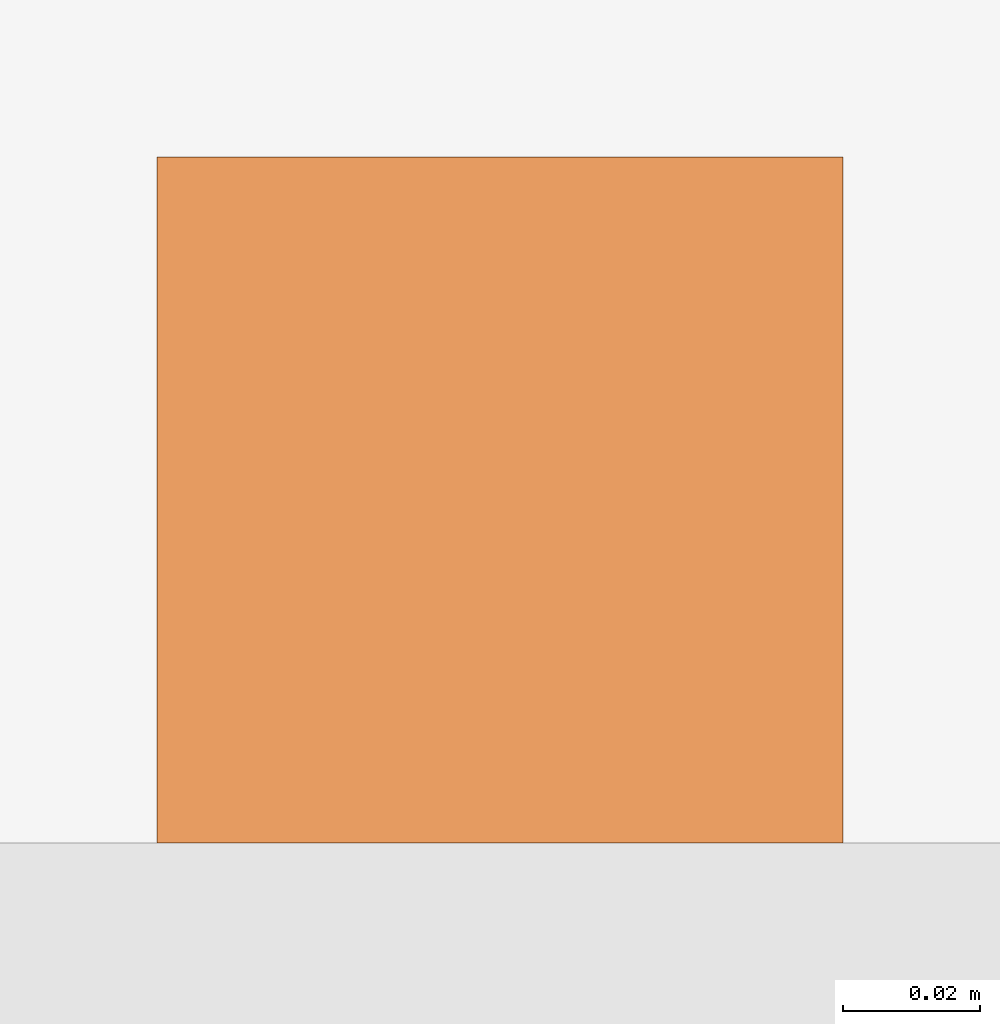
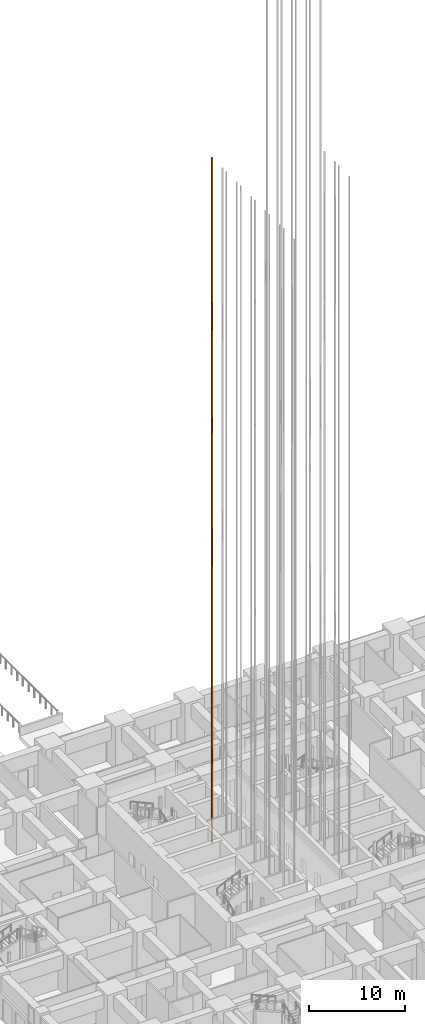
# One storey, part 78 of 81: 1 proxy.
"""IFC4 building model written with IfcOpenShell, lengths in metres."""

import ifcopenshell
import ifcopenshell.guid

model = None  # the IFC model being written
_history = None  # IfcOwnerHistory: only IFC2X3 demands one
_inside = {}  # id of a spatial element -> (the spatial element, [elements in it])
_under = {}  # id of a project, library or spatial element -> (it, [spatial elements below it])
_declared = {}  # id of a project -> (the project, [libraries it declares])
_typed = {}  # id of a type object -> (the type object, [elements of that type])
_made_of = {}  # id of a material, layer set ... -> (it, [elements and type objects made of it])


def new_model(schema):
    """Start an empty IFC model of exactly this schema.

    Asked for "IFC4X3", IfcOpenShell would pick the latest addendum, in which some entities
    have other attributes; the version numbers below select the first issue.
    IFC2X3 requires an IfcOwnerHistory on every rooted entity: one is made here for all.
    """
    global model, _history
    if schema == "IFC4X3":
        model = ifcopenshell.file(schema_version=(4, 3, 0, 0))
    else:
        model = ifcopenshell.file(schema=schema)
    _inside.clear()
    _under.clear()
    _declared.clear()
    _typed.clear()
    _made_of.clear()
    _history = None
    if model.schema == "IFC2X3":
        org = make("IfcOrganization", Name="unknown")
        user = make(
            "IfcPersonAndOrganization",
            ThePerson=make("IfcPerson", FamilyName="unknown"),
            TheOrganization=org,
        )
        app = make(
            "IfcApplication",
            ApplicationDeveloper=org,
            Version="unknown",
            ApplicationFullName="unknown",
            ApplicationIdentifier="unknown",
        )
        _history = make(
            "IfcOwnerHistory",
            OwningUser=user,
            OwningApplication=app,
            ChangeAction="ADDED",
            CreationDate=0,
        )
    return model


def make(cls, **values):
    """One entity of the class cls with the attributes given. An attribute that is None is left unset."""
    return model.create_entity(
        cls, **{name: value for name, value in values.items() if value is not None}
    )


def rooted(cls, **values):
    """An entity with a GlobalId (a new one), such as an element, a storey or a relation."""
    return make(cls, GlobalId=ifcopenshell.guid.new(), OwnerHistory=_history, **values)


def si_unit(unit_type, name, prefix=None):
    """IfcSIUnit, for example si_unit("LENGTHUNIT", "METRE", prefix="MILLI")."""
    return make("IfcSIUnit", UnitType=unit_type, Prefix=prefix, Name=name)


def assignment(units):
    """IfcUnitAssignment: the units of a project."""
    return None if units is None else make("IfcUnitAssignment", Units=units)


def point(xyz):
    """IfcCartesianPoint."""
    return None if xyz is None else make("IfcCartesianPoint", Coordinates=xyz)


def direction(xyz):
    """IfcDirection."""
    return None if xyz is None else make("IfcDirection", DirectionRatios=xyz)


def frame(location, z_axis=None, x_axis=None):
    """IfcAxis2Placement3D, a coordinate frame: its origin and axes. An axis left out is left unset."""
    return make(
        "IfcAxis2Placement3D",
        Location=point(location),
        Axis=direction(z_axis),
        RefDirection=direction(x_axis),
    )


def frame_2d(location, x_axis=None):
    """IfcAxis2Placement2D, a coordinate frame in the plane: its origin and x axis."""
    return make(
        "IfcAxis2Placement2D", Location=point(location), RefDirection=direction(x_axis)
    )


def origin():
    """The frame at (0, 0, 0) with its axes left unset."""
    return frame((0.0, 0.0, 0.0))


def origin_2d():
    """The frame at (0, 0) in the plane with its x axis left unset."""
    return frame_2d((0.0, 0.0))


def place(relative_to, where):
    """IfcLocalPlacement: puts the frame where relative to a parent placement (None: the world)."""
    return make(
        "IfcLocalPlacement", PlacementRelTo=relative_to, RelativePlacement=where
    )


def context(
    kind, dimensions, precision=None, world=None, true_north=None, identifier=None
):
    """IfcGeometricRepresentationContext, for example the 3D "Model" context."""
    return make(
        "IfcGeometricRepresentationContext",
        ContextIdentifier=identifier,
        ContextType=kind,
        CoordinateSpaceDimension=dimensions,
        Precision=precision,
        WorldCoordinateSystem=world,
        TrueNorth=true_north,
    )


def subcontext(parent, identifier, kind, view, scale=None):
    """IfcGeometricRepresentationSubContext, for example "Body" below "Model"."""
    return make(
        "IfcGeometricRepresentationSubContext",
        ContextIdentifier=identifier,
        ContextType=kind,
        ParentContext=parent,
        TargetScale=scale,
        TargetView=view,
    )


def project(units=None, contexts=None):
    """IfcProject with its units and contexts."""
    return rooted(
        "IfcProject",
        Name="project",
        RepresentationContexts=contexts,
        UnitsInContext=assignment(units),
    )


def spatial(cls, under=None, at=None, **own):
    """A site, building, storey or space (cls), placed at a placement, below another one or the project."""
    s = rooted(cls, ObjectPlacement=at, **own)
    if under is not None:
        _under.setdefault(under.id(), (under, []))[1].append(s)
    return s


def profile(cls, at=None, kind="AREA", **sizes):
    """A parametric profile (cls). Its sizes go by their IFC names, for example OverallWidth=200.0."""
    return make(cls, ProfileType=kind, Position=at, **sizes)


def rectangle(**sizes):
    """IfcRectangleProfileDef."""
    return profile("IfcRectangleProfileDef", **sizes)


def extrude(swept, where, along, depth):
    """IfcExtrudedAreaSolid: the profile swept, set in the frame where, extruded along a direction by depth."""
    return make(
        "IfcExtrudedAreaSolid",
        SweptArea=swept,
        Position=where,
        ExtrudedDirection=direction(along),
        Depth=depth,
    )


def shape(context_of_items, identifier, shape_type, items):
    """IfcShapeRepresentation: the items that make up one representation, for example the "Body"."""
    return make(
        "IfcShapeRepresentation",
        ContextOfItems=context_of_items,
        RepresentationIdentifier=identifier,
        RepresentationType=shape_type,
        Items=items,
    )


def material(Name=None, Category=None):
    """IfcMaterial."""
    return make("IfcMaterial", Name=Name, Category=Category)


def made_of(thing, what):
    """Note that an element or type object is made of a material, layer set ...; save() writes the relation."""
    if what is not None:
        _made_of.setdefault(what.id(), (what, []))[1].append(thing)
    return thing


def type_object(cls, material=None, **own):
    """A type object (cls), such as IfcWallType, which elements share."""
    return made_of(rooted(cls, **own), material)


def element(
    cls,
    number,
    at=None,
    inside=None,
    cuts=None,
    type_object=None,
    material=None,
    context=None,
    identifier="Body",
    shape_type=None,
    held_by="IfcProductDefinitionShape",
    body=None,
    shapes=None,
    **own,
):
    """One element of the class cls, such as IfcWall. Its Tag is "e" and its number.

    at: its placement. inside: the storey or other place that contains it. cuts: it is an
    opening in that element (IfcRelVoidsElement). A single representation is given by context,
    identifier, shape_type and body (its items); several are given by shapes. held_by: the class
    of the entity that holds the representations. save() writes the other relations.
    """
    e = rooted(cls, Tag="e%d" % number, ObjectPlacement=at, **own)
    if body is not None:
        shapes = [shape(context, identifier, shape_type, body)]
    if shapes is not None:
        e.Representation = make(held_by, Representations=shapes)
    if inside is not None:
        _inside.setdefault(inside.id(), (inside, []))[1].append(e)
    if cuts is not None:
        rooted(
            "IfcRelVoidsElement", RelatingBuildingElement=cuts, RelatedOpeningElement=e
        )
    if type_object is not None:
        _typed.setdefault(type_object.id(), (type_object, []))[1].append(e)
    return made_of(e, material)


def aggregate(whole, parts):
    """IfcRelAggregates: a whole, such as a stair, and the parts it consists of."""
    return rooted("IfcRelAggregates", RelatingObject=whole, RelatedObjects=parts)


def save(model, path):
    """Write the relations noted so far, then the file.

    IfcRelAggregates (storeys below a building ...), IfcRelContainedInSpatialStructure (elements
    in a storey), IfcRelDefinesByType, IfcRelAssociatesMaterial and IfcRelDeclares: one each for
    every whole, place, type object, material and project.
    """
    for whole, parts in _under.values():
        aggregate(whole, parts)
    for where, things in _inside.values():
        rooted(
            "IfcRelContainedInSpatialStructure",
            RelatedElements=things,
            RelatingStructure=where,
        )
    for kind, things in _typed.values():
        rooted("IfcRelDefinesByType", RelatedObjects=things, RelatingType=kind)
    for what, things in _made_of.values():
        rooted("IfcRelAssociatesMaterial", RelatedObjects=things, RelatingMaterial=what)
    for by, libraries in _declared.values():
        rooted("IfcRelDeclares", RelatingContext=by, RelatedDefinitions=libraries)
    model.write(path)


model = new_model("IFC4")

# Units and contexts
model_context = context("Model", 3, precision=1e-05, world=origin(), true_north=direction((0.0, 1.0)))
body_context = subcontext(model_context, "Body", "Model", "MODEL_VIEW")
ifc_project = project(units=[si_unit("LENGTHUNIT", "METRE"), si_unit("AREAUNIT", "SQUARE_METRE"), si_unit("VOLUMEUNIT", "CUBIC_METRE"), si_unit("PLANEANGLEUNIT", "RADIAN"), si_unit("MASSUNIT", "GRAM", prefix="KILO")], contexts=[model_context])

# Site, building, storey
site_placement = place(None, origin())
site = spatial("IfcSite", under=ifc_project, at=site_placement, CompositionType="ELEMENT")
building_placement = place(site_placement, origin())
building = spatial("IfcBuilding", under=site, at=building_placement, Name="Rekha Terrace Tower", CompositionType="ELEMENT")
storey_placement = place(building_placement, origin())
storey = spatial("IfcBuildingStorey", under=building, at=storey_placement, Name="L00", CompositionType="ELEMENT", Elevation=0.0)

# Proxy
ifc_material = material(Name="Steel guide rail", Category="steel")
building_element_proxy_type = type_object("IfcBuildingElementProxyType", Name="LR1 100 lift guide rail", PredefinedType="ELEMENT", material=ifc_material)
proxy_placement = place(storey_placement, frame((34.5, 41.0, 0.0), z_axis=(0.0, 0.0, 1.0), x_axis=(1.0, 0.0, 0.0)))
element("IfcBuildingElementProxy", 1, at=proxy_placement, inside=storey, type_object=building_element_proxy_type, Name="Lift A6 guide rail 2", PredefinedType="ELEMENT", context=body_context, shape_type="SweptSolid", body=[
    extrude(rectangle(XDim=0.10009765625, YDim=0.10009765625, at=origin_2d()), origin(), (0.0, 0.0, 1.0), 87.5),
])

save(model, "model.ifc")
